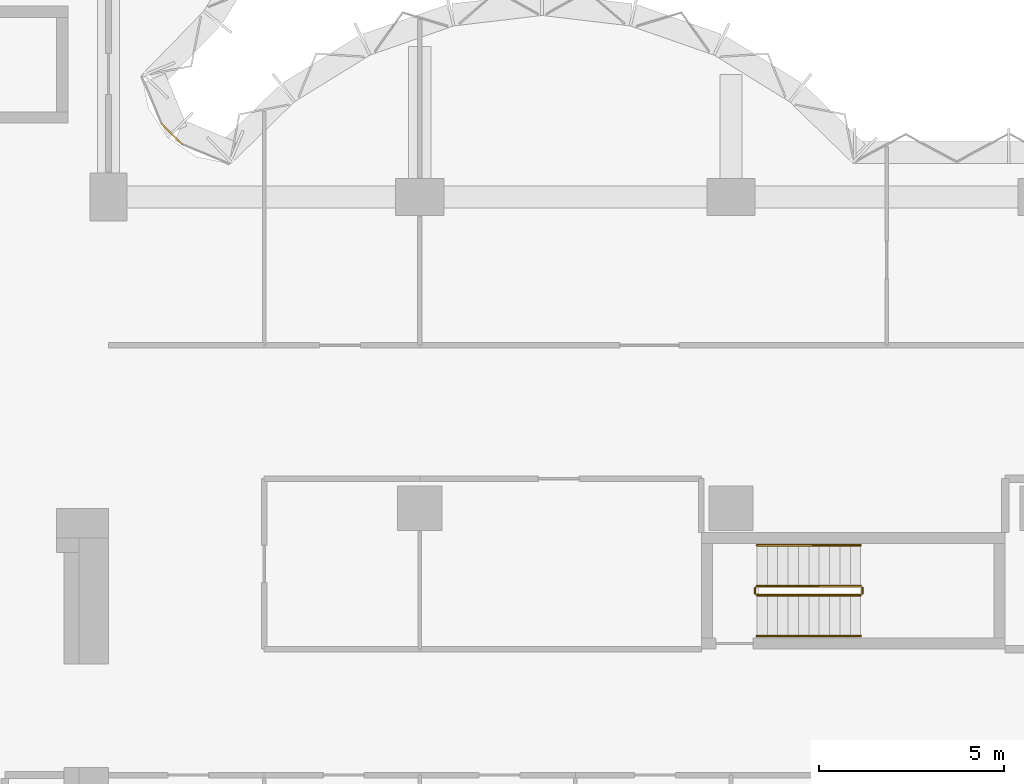
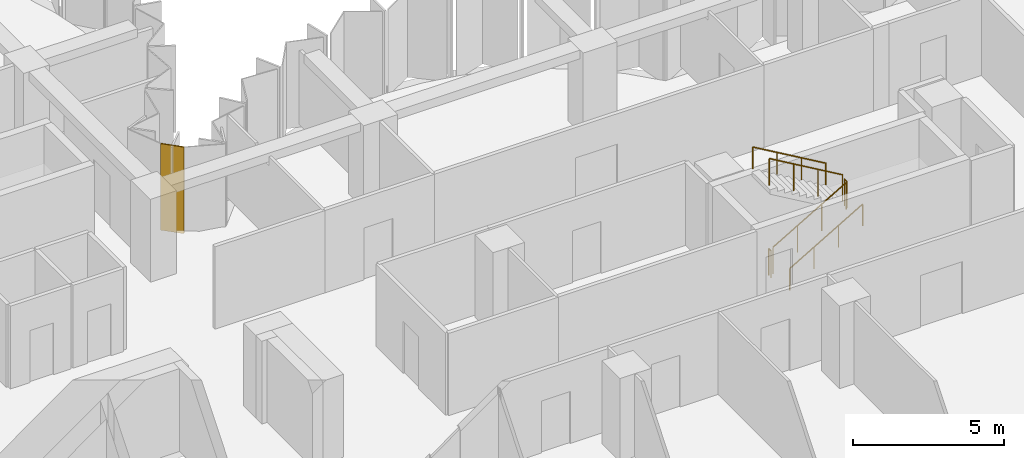
# One storey, part 13 of 13: 6 railings, 1 covering, 1 element without a shape of its own.
"""IFC4 building model written with IfcOpenShell, lengths in metres."""

from ifc_helpers import new_model, si_unit, direction, frame, origin, origin_2d, place, context, subcontext, project, spatial, polyline, circle, outline, extrude, material, layer, layer_set, type_object, element, aggregate, save


model = new_model("IFC4")

# Units and contexts
model_context = context("Model", 3, precision=1e-05, world=origin(), true_north=direction((0.0, 1.0)))
body_context = subcontext(model_context, "Body", "Model", "MODEL_VIEW")
ifc_project = project(units=[si_unit("LENGTHUNIT", "METRE"), si_unit("AREAUNIT", "SQUARE_METRE"), si_unit("VOLUMEUNIT", "CUBIC_METRE"), si_unit("PLANEANGLEUNIT", "RADIAN"), si_unit("MASSUNIT", "GRAM", prefix="KILO")], contexts=[model_context])

# Site, building, storey
site_placement = place(None, origin())
site = spatial("IfcSite", under=ifc_project, at=site_placement, CompositionType="ELEMENT")
building_placement = place(site_placement, origin())
building = spatial("IfcBuilding", under=site, at=building_placement, Name="Brevane Broadcast Tower", CompositionType="ELEMENT")
storey_placement = place(building_placement, frame((0.0, 0.0, 127.699951171875)))
storey = spatial("IfcBuildingStorey", under=building, at=storey_placement, Name="L31", CompositionType="ELEMENT", Elevation=127.699951171875)

# Railings
ifc_material_1 = material(Name="Steel S355", Category="steel")
railing_type_1 = type_object("IfcRailingType", Name="Exit stair guard", PredefinedType="GUARDRAIL", material=ifc_material_1)
railing_1_placement = place(storey_placement, frame((42.699951171875, 14.449951171875, 0.16357421875)))
element("IfcRailing", 1, at=railing_1_placement, inside=storey, type_object=railing_type_1, Name="L31 ST-4 stair guard 1", PredefinedType="GUARDRAIL", context=body_context, shape_type="SweptSolid", body=[
    extrude(circle(Radius=0.02392578125, at=origin_2d()), frame((0.0, 0.0, 1.076171875), z_axis=(0.863360870873, 0.0, 0.504586966384), x_axis=(0.0, 1.0, 0.0)), (0.0, 0.0, 1.0), 3.2431640625),
    extrude(circle(Radius=0.02099609375, at=origin_2d()), origin(), (0.0, 0.0, 1.0), 1.052001953125),
    extrude(circle(Radius=0.02099609375, at=origin_2d()), frame((0.933349609375, 0.0, 0.54541015625)), (0.0, 0.0, 1.0), 1.052001953125),
    extrude(circle(Radius=0.02099609375, at=origin_2d()), frame((1.86669921875, 0.0, 1.091064453125)), (0.0, 0.0, 1.0), 1.052001953125),
    extrude(circle(Radius=0.02099609375, at=origin_2d()), frame((2.800048828125, 0.0, 1.636474609375)), (0.0, 0.0, 1.0), 1.052001953125),
])
railing_2_placement = place(storey_placement, frame((45.550048828125, 14.5, 1.800048828125)))
element("IfcRailing", 2, at=railing_2_placement, inside=storey, type_object=railing_type_1, Name="L31 ST-4 stair guard 2", PredefinedType="GUARDRAIL", context=body_context, shape_type="SweptSolid", body=[
    extrude(circle(Radius=0.02392578125, at=origin_2d()), frame((0.0, 0.0, 1.076171875), z_axis=(0.0, 1.0, 0.0), x_axis=(-1.0, 0.0, 0.0)), (0.0, 0.0, 1.0), 0.14990234375),
    extrude(circle(Radius=0.02099609375, at=origin_2d()), origin(), (0.0, 0.0, 1.0), 1.052001953125),
    extrude(circle(Radius=0.02099609375, at=origin_2d()), frame((0.0, 0.14990234375, 0.0)), (0.0, 0.0, 1.0), 1.052001953125),
])
railing_3_placement = place(storey_placement, frame((45.5, 14.699951171875, 1.963623046875)))
element("IfcRailing", 3, at=railing_3_placement, inside=storey, type_object=railing_type_1, Name="L31 ST-4 stair guard 3", PredefinedType="GUARDRAIL", context=body_context, shape_type="SweptSolid", body=[
    extrude(circle(Radius=0.02392578125, at=origin_2d()), frame((0.0, 0.0, 1.076171875), z_axis=(-0.863360870873, 0.0, 0.504586966384), x_axis=(0.0, -1.0, 0.0)), (0.0, 0.0, 1.0), 3.2431640625),
    extrude(circle(Radius=0.02099609375, at=origin_2d()), origin(), (0.0, 0.0, 1.0), 1.052001953125),
    extrude(circle(Radius=0.02099609375, at=origin_2d()), frame((-0.933349609375, 0.0, 0.54541015625)), (0.0, 0.0, 1.0), 1.052001953125),
    extrude(circle(Radius=0.02099609375, at=origin_2d()), frame((-1.86669921875, 0.0, 1.091064453125)), (0.0, 0.0, 1.0), 1.052001953125),
    extrude(circle(Radius=0.02099609375, at=origin_2d()), frame((-2.800048828125, 0.0, 1.636474609375)), (0.0, 0.0, 1.0), 1.052001953125),
])
railing_4_placement = place(storey_placement, frame((42.64990234375, 14.5, 0.0)))
element("IfcRailing", 4, at=railing_4_placement, inside=storey, type_object=railing_type_1, Name="L31 ST-4 stair guard 4", PredefinedType="GUARDRAIL", context=body_context, shape_type="SweptSolid", body=[
    extrude(circle(Radius=0.02392578125, at=origin_2d()), frame((0.0, 0.0, 1.076171875), z_axis=(0.0, 1.0, 0.0), x_axis=(-1.0, 0.0, 0.0)), (0.0, 0.0, 1.0), 0.14990234375),
    extrude(circle(Radius=0.02099609375, at=origin_2d()), origin(), (0.0, 0.0, 1.0), 1.052001953125),
    extrude(circle(Radius=0.02099609375, at=origin_2d()), frame((0.0, 0.14990234375, 0.0)), (0.0, 0.0, 1.0), 1.052001953125),
])
railing_type_2 = type_object("IfcRailingType", Name="Exit stair handrail", PredefinedType="HANDRAIL", material=ifc_material_1)
railing_5_placement = place(storey_placement, frame((42.699951171875, 13.35009765625, 0.16357421875)))
element("IfcRailing", 5, at=railing_5_placement, inside=storey, type_object=railing_type_2, Name="L31 ST-4 stair handrail 1", PredefinedType="HANDRAIL", context=body_context, shape_type="SweptSolid", body=[
    extrude(circle(Radius=0.02392578125, at=origin_2d()), frame((0.0, 0.0, 0.8759765625), z_axis=(0.863360870873, 0.0, 0.504586966384), x_axis=(0.0, 1.0, 0.0)), (0.0, 0.0, 1.0), 3.2431640625),
    extrude(circle(Radius=0.02099609375, at=origin_2d()), origin(), (0.0, 0.0, 1.0), 0.851806640625),
    extrude(circle(Radius=0.02099609375, at=origin_2d()), frame((0.933349609375, 0.0, 0.54541015625)), (0.0, 0.0, 1.0), 0.851806640625),
    extrude(circle(Radius=0.02099609375, at=origin_2d()), frame((1.86669921875, 0.0, 1.091064453125)), (0.0, 0.0, 1.0), 0.851806640625),
    extrude(circle(Radius=0.02099609375, at=origin_2d()), frame((2.800048828125, 0.0, 1.636474609375)), (0.0, 0.0, 1.0), 0.851806640625),
])
railing_6_placement = place(storey_placement, frame((45.5, 15.800048828125, 1.963623046875)))
element("IfcRailing", 6, at=railing_6_placement, inside=storey, type_object=railing_type_2, Name="L31 ST-4 stair handrail 2", PredefinedType="HANDRAIL", context=body_context, shape_type="SweptSolid", body=[
    extrude(circle(Radius=0.02392578125, at=origin_2d()), frame((0.0, 0.0, 0.8759765625), z_axis=(-0.863360870873, 0.0, 0.504586966384), x_axis=(0.0, -1.0, 0.0)), (0.0, 0.0, 1.0), 3.2431640625),
    extrude(circle(Radius=0.02099609375, at=origin_2d()), origin(), (0.0, 0.0, 1.0), 0.851806640625),
    extrude(circle(Radius=0.02099609375, at=origin_2d()), frame((-0.933349609375, 0.0, 0.54541015625)), (0.0, 0.0, 1.0), 0.851806640625),
    extrude(circle(Radius=0.02099609375, at=origin_2d()), frame((-1.86669921875, 0.0, 1.091064453125)), (0.0, 0.0, 1.0), 0.851806640625),
    extrude(circle(Radius=0.02099609375, at=origin_2d()), frame((-2.800048828125, 0.0, 1.636474609375)), (0.0, 0.0, 1.0), 0.851806640625),
])

# Curtain wall, covering
ifc_material_2 = material(Name="Aluminium 6063-T6 bronze anodised", Category="aluminium")
curtain_wall_type = type_object("IfcCurtainWallType", Name="CW-1 curtain wall", PredefinedType="NOTDEFINED", material=ifc_material_2)
curtain_wall_placement = place(storey_placement, origin())
curtain_wall = element("IfcCurtainWall", 7, at=curtain_wall_placement, inside=storey, type_object=curtain_wall_type, Name="CW-1 typical tilted unit L31 inner corner", PredefinedType="NOTDEFINED")
ifc_material_3 = material(Name="Back-painted bronze glass shadow-box", Category="glass")
ifc_layer = layer(ifc_material_3, 0.0400390625)
ifc_layer_set = layer_set([ifc_layer], Name="Shadow-box panel 40")
covering_type = type_object("IfcCoveringType", Name="Shadow-box panel 40", PredefinedType="CLADDING", material=ifc_layer_set)
covering_placement = place(storey_placement, frame((0.0, 0.0, -0.14990234375)))
covering = element("IfcCovering", 8, at=covering_placement, type_object=covering_type, Name="Closure panel", PredefinedType="CLADDING", context=body_context, shape_type="SweptSolid", body=[
    extrude(outline(polyline([(27.17138671875, 26.60498046875), (27.2021484375, 26.635498046875), (26.635498046875, 27.2021484375), (26.60498046875, 27.17138671875), (27.17138671875, 26.60498046875)])), origin(), (0.0, 0.0, 1.0), 3.5),
])
aggregate(curtain_wall, [covering])

save(model, "model.ifc")
